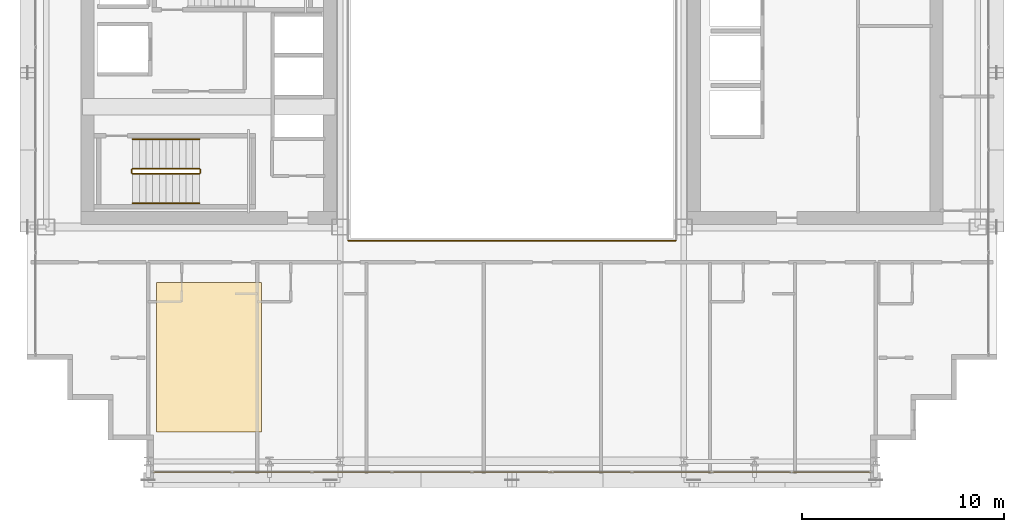
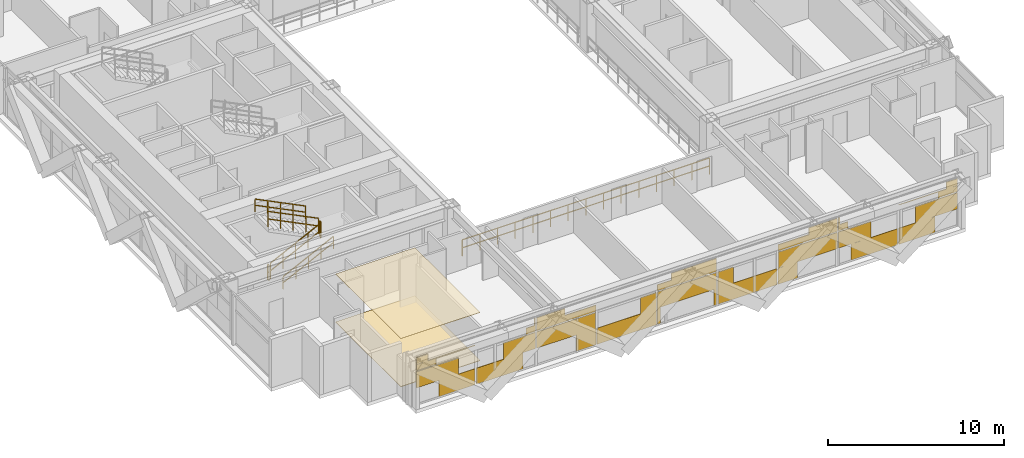
# One storey, part 32 of 35: 7 railings, 3 coverings.
"""IFC4 building model written with IfcOpenShell, lengths in metres."""

from ifc_helpers import new_model, si_unit, direction, frame, origin, origin_2d, place, context, subcontext, project, spatial, polyline, rectangle, outline, extrude, material, layer, layer_set, type_object, element, save


model = new_model("IFC4")

# Units and contexts
model_context = context("Model", 3, precision=1e-05, world=origin(), true_north=direction((0.0, 1.0)))
body_context = subcontext(model_context, "Body", "Model", "MODEL_VIEW")
ifc_project = project(units=[si_unit("LENGTHUNIT", "METRE"), si_unit("AREAUNIT", "SQUARE_METRE"), si_unit("VOLUMEUNIT", "CUBIC_METRE"), si_unit("PLANEANGLEUNIT", "RADIAN"), si_unit("MASSUNIT", "GRAM", prefix="KILO")], contexts=[model_context])

# Site, building, storey
site_placement = place(None, origin())
site = spatial("IfcSite", under=ifc_project, at=site_placement, CompositionType="ELEMENT")
building_placement = place(site_placement, origin())
building = spatial("IfcBuilding", under=site, at=building_placement, Name="Ocotamira Hotel", CompositionType="ELEMENT")
storey_placement = place(building_placement, frame((0.0, 0.0, 122.39990234375)))
storey = spatial("IfcBuildingStorey", under=building, at=storey_placement, Name="L30", CompositionType="ELEMENT", Elevation=122.39990234375)

# Coverings
ifc_material_1 = material(Name="Perforated acoustic gypsum ceiling board", Category="gypsum")
ifc_layer_1 = layer(ifc_material_1, 0.02490234375)
ifc_layer_set_1 = layer_set([ifc_layer_1], Name="Perforated acoustic gypsum ceiling board")
covering_type_1 = type_object("IfcCoveringType", Name="COV-CEIL-25", PredefinedType="CEILING", material=ifc_layer_set_1)
covering_1_placement = place(storey_placement, frame((0.0, 0.0, 3.335205078125)))
element("IfcCovering", 1, at=covering_1_placement, inside=storey, type_object=covering_type_1, Name="L30 Acoustic Ceiling", PredefinedType="CEILING", context=body_context, shape_type="SweptSolid", body=[
    extrude(outline(polyline([(14.39990234375, 4.39990234375), (19.60009765625, 4.39990234375), (19.60009765625, 11.800048828125), (14.39990234375, 11.800048828125), (14.39990234375, 4.39990234375)])), origin(), (0.0, 0.0, 1.0), 0.02490234375),
])
ifc_material_2 = material(Name="Honed desert travertine stone flooring", Category="masonry")
ifc_layer_2 = layer(ifc_material_2, 0.030029296875)
ifc_layer_set_2 = layer_set([ifc_layer_2], Name="Honed desert travertine stone flooring")
covering_type_2 = type_object("IfcCoveringType", Name="COV-FLOR-30", PredefinedType="FLOORING", material=ifc_layer_set_2)
covering_2_placement = place(storey_placement, origin())
element("IfcCovering", 2, at=covering_2_placement, inside=storey, type_object=covering_type_2, Name="L30 Honed Stone Floor Finish", PredefinedType="FLOORING", context=body_context, shape_type="SweptSolid", body=[
    extrude(outline(polyline([(14.39990234375, 4.39990234375), (19.60009765625, 4.39990234375), (19.60009765625, 11.800048828125), (14.39990234375, 11.800048828125), (14.39990234375, 4.39990234375)])), origin(), (0.0, 0.0, 1.0), 0.030029296875),
])
ifc_material_3 = material(Name="Insulated pale-metal aluminium spandrel panel", Category="aluminium")
ifc_layer_3 = layer(ifc_material_3, 0.044921875)
ifc_layer_set_3 = layer_set([ifc_layer_3], Name="Insulated pale-metal aluminium spandrel panel")
covering_type_3 = type_object("IfcCoveringType", Name="COV-INFILL-45", PredefinedType="CLADDING", material=ifc_layer_set_3)
covering_3_placement = place(storey_placement, origin())
element("IfcCovering", 3, at=covering_3_placement, inside=storey, type_object=covering_type_3, Name="L30 Curtain Wall Infill CW-3 CW-L30-S1", PredefinedType="CLADDING", context=body_context, shape_type="SweptSolid", body=[
    extrude(rectangle(XDim=2.754638671875, YDim=0.044921875, at=origin_2d()), frame((15.65771484375, 2.419921875, 1.1943359375), z_axis=(0.0, 0.0, 1.0), x_axis=(1.0, 0.0, 0.0)), (0.0, 0.0, 1.0), 1.117919921875),
    extrude(rectangle(XDim=2.359619140625, YDim=0.044921875, at=origin_2d()), frame((16.935302734375, 2.419921875, 0.07568359375), z_axis=(0.0, 0.0, 1.0), x_axis=(1.0, 0.0, 0.0)), (0.0, 0.0, 1.0), 1.117919921875),
    extrude(rectangle(XDim=1.262451171875, YDim=0.044921875, at=origin_2d()), frame((14.91162109375, 2.419921875, 2.38818359375), z_axis=(0.0, 0.0, 1.0), x_axis=(1.0, 0.0, 0.0)), (0.0, 0.0, 1.0), 0.3935546875),
    extrude(rectangle(XDim=3.834716796875, YDim=0.044921875, at=origin_2d()), frame((16.19775390625, 2.419921875, 2.78271484375), z_axis=(0.0, 0.0, 1.0), x_axis=(1.0, 0.0, 0.0)), (0.0, 0.0, 1.0), 0.0302734375),
    extrude(rectangle(XDim=0.730224609375, YDim=0.044921875, at=origin_2d()), frame((14.6455078125, 2.419921875, 2.81396484375), z_axis=(0.0, 0.0, 1.0), x_axis=(1.0, 0.0, 0.0)), (0.0, 0.0, 1.0), 0.470703125),
    extrude(rectangle(XDim=3.04833984375, YDim=0.044921875, at=origin_2d()), frame((19.72021484375, 2.419921875, 0.07568359375), z_axis=(0.0, 0.0, 1.0), x_axis=(1.0, 0.0, 0.0)), (0.0, 0.0, 1.0), 1.117919921875),
    extrude(rectangle(XDim=2.105712890625, YDim=0.044921875, at=origin_2d()), frame((21.017578125, 2.419921875, 1.1943359375), z_axis=(0.0, 0.0, 1.0), x_axis=(1.0, 0.0, 0.0)), (0.0, 0.0, 1.0), 1.117919921875),
    extrude(rectangle(XDim=0.613525390625, YDim=0.044921875, at=origin_2d()), frame((21.763916015625, 2.419921875, 2.38818359375), z_axis=(0.0, 0.0, 1.0), x_axis=(1.0, 0.0, 0.0)), (0.0, 0.0, 1.0), 0.4248046875),
    extrude(rectangle(XDim=0.081298828125, YDim=0.044921875, at=origin_2d()), frame((22.02978515625, 2.419921875, 2.81396484375), z_axis=(0.0, 0.0, 1.0), x_axis=(1.0, 0.0, 0.0)), (0.0, 0.0, 1.0), 0.470703125),
    extrude(rectangle(XDim=3.87451171875, YDim=0.044921875, at=origin_2d()), frame((24.0888671875, 2.419921875, 1.1943359375), z_axis=(0.0, 0.0, 1.0), x_axis=(1.0, 0.0, 0.0)), (0.0, 0.0, 1.0), 1.117919921875),
    extrude(rectangle(XDim=1.270751953125, YDim=0.044921875, at=origin_2d()), frame((25.390869140625, 2.419921875, 0.07568359375), z_axis=(0.0, 0.0, 1.0), x_axis=(1.0, 0.0, 0.0)), (0.0, 0.0, 1.0), 1.117919921875),
    extrude(rectangle(XDim=3.87451171875, YDim=0.044921875, at=origin_2d()), frame((24.0888671875, 2.419921875, 2.38818359375), z_axis=(0.0, 0.0, 1.0), x_axis=(1.0, 0.0, 0.0)), (0.0, 0.0, 1.0), 0.4248046875),
    extrude(rectangle(XDim=1.859130859375, YDim=0.044921875, at=origin_2d()), frame((23.081298828125, 2.419921875, 2.81396484375), z_axis=(0.0, 0.0, 1.0), x_axis=(1.0, 0.0, 0.0)), (0.0, 0.0, 1.0), 0.470703125),
    extrude(rectangle(XDim=3.87451171875, YDim=0.044921875, at=origin_2d()), frame((28.04443359375, 2.419921875, 0.07568359375), z_axis=(0.0, 0.0, 1.0), x_axis=(1.0, 0.0, 0.0)), (0.0, 0.0, 1.0), 1.117919921875),
    extrude(rectangle(XDim=1.016845703125, YDim=0.044921875, at=origin_2d()), frame((29.473388671875, 2.419921875, 1.1943359375), z_axis=(0.0, 0.0, 1.0), x_axis=(1.0, 0.0, 0.0)), (0.0, 0.0, 1.0), 1.117919921875),
    extrude(rectangle(XDim=0.181884765625, YDim=0.044921875, at=origin_2d()), frame((30.153564453125, 2.419921875, 0.07568359375), z_axis=(0.0, 0.0, 1.0), x_axis=(1.0, 0.0, 0.0)), (0.0, 0.0, 1.0), 1.117919921875),
    extrude(rectangle(XDim=3.87451171875, YDim=0.044921875, at=origin_2d()), frame((32.0, 2.419921875, 1.1943359375), z_axis=(0.0, 0.0, 1.0), x_axis=(1.0, 0.0, 0.0)), (0.0, 0.0, 1.0), 1.117919921875),
    extrude(rectangle(XDim=0.181884765625, YDim=0.044921875, at=origin_2d()), frame((33.846435546875, 2.419921875, 0.07568359375), z_axis=(0.0, 0.0, 1.0), x_axis=(1.0, 0.0, 0.0)), (0.0, 0.0, 1.0), 1.117919921875),
    extrude(rectangle(XDim=3.87451171875, YDim=0.044921875, at=origin_2d()), frame((32.0, 2.419921875, 2.38818359375), z_axis=(0.0, 0.0, 1.0), x_axis=(1.0, 0.0, 0.0)), (0.0, 0.0, 1.0), 0.4248046875),
    extrude(rectangle(XDim=2.947998046875, YDim=0.044921875, at=origin_2d()), frame((32.46337890625, 2.419921875, 2.81396484375), z_axis=(0.0, 0.0, 1.0), x_axis=(1.0, 0.0, 0.0)), (0.0, 0.0, 1.0), 0.470703125),
    extrude(rectangle(XDim=3.87451171875, YDim=0.044921875, at=origin_2d()), frame((35.95556640625, 2.419921875, 0.07568359375), z_axis=(0.0, 0.0, 1.0), x_axis=(1.0, 0.0, 0.0)), (0.0, 0.0, 1.0), 1.117919921875),
    extrude(rectangle(XDim=1.016845703125, YDim=0.044921875, at=origin_2d()), frame((34.526611328125, 2.419921875, 1.1943359375), z_axis=(0.0, 0.0, 1.0), x_axis=(1.0, 0.0, 0.0)), (0.0, 0.0, 1.0), 1.117919921875),
    extrude(rectangle(XDim=1.270751953125, YDim=0.044921875, at=origin_2d()), frame((38.609130859375, 2.419921875, 0.07568359375), z_axis=(0.0, 0.0, 1.0), x_axis=(1.0, 0.0, 0.0)), (0.0, 0.0, 1.0), 1.117919921875),
    extrude(rectangle(XDim=3.87451171875, YDim=0.044921875, at=origin_2d()), frame((39.9111328125, 2.419921875, 1.1943359375), z_axis=(0.0, 0.0, 1.0), x_axis=(1.0, 0.0, 0.0)), (0.0, 0.0, 1.0), 1.117919921875),
    extrude(rectangle(XDim=3.87451171875, YDim=0.044921875, at=origin_2d()), frame((39.9111328125, 2.419921875, 2.38818359375), z_axis=(0.0, 0.0, 1.0), x_axis=(1.0, 0.0, 0.0)), (0.0, 0.0, 1.0), 0.4248046875),
    extrude(rectangle(XDim=1.859130859375, YDim=0.044921875, at=origin_2d()), frame((40.918701171875, 2.419921875, 2.81396484375), z_axis=(0.0, 0.0, 1.0), x_axis=(1.0, 0.0, 0.0)), (0.0, 0.0, 1.0), 0.470703125),
    extrude(rectangle(XDim=2.105712890625, YDim=0.044921875, at=origin_2d()), frame((42.982421875, 2.419921875, 1.1943359375), z_axis=(0.0, 0.0, 1.0), x_axis=(1.0, 0.0, 0.0)), (0.0, 0.0, 1.0), 1.117919921875),
    extrude(rectangle(XDim=3.04833984375, YDim=0.044921875, at=origin_2d()), frame((44.27978515625, 2.419921875, 0.07568359375), z_axis=(0.0, 0.0, 1.0), x_axis=(1.0, 0.0, 0.0)), (0.0, 0.0, 1.0), 1.117919921875),
    extrude(rectangle(XDim=0.613525390625, YDim=0.044921875, at=origin_2d()), frame((42.236083984375, 2.419921875, 2.38818359375), z_axis=(0.0, 0.0, 1.0), x_axis=(1.0, 0.0, 0.0)), (0.0, 0.0, 1.0), 0.4248046875),
    extrude(rectangle(XDim=0.081298828125, YDim=0.044921875, at=origin_2d()), frame((41.97021484375, 2.419921875, 2.81396484375), z_axis=(0.0, 0.0, 1.0), x_axis=(1.0, 0.0, 0.0)), (0.0, 0.0, 1.0), 0.470703125),
    extrude(rectangle(XDim=2.359619140625, YDim=0.044921875, at=origin_2d()), frame((47.064697265625, 2.419921875, 0.07568359375), z_axis=(0.0, 0.0, 1.0), x_axis=(1.0, 0.0, 0.0)), (0.0, 0.0, 1.0), 1.117919921875),
    extrude(rectangle(XDim=2.754638671875, YDim=0.044921875, at=origin_2d()), frame((48.34228515625, 2.419921875, 1.1943359375), z_axis=(0.0, 0.0, 1.0), x_axis=(1.0, 0.0, 0.0)), (0.0, 0.0, 1.0), 1.117919921875),
    extrude(rectangle(XDim=3.834716796875, YDim=0.044921875, at=origin_2d()), frame((47.80224609375, 2.419921875, 2.78271484375), z_axis=(0.0, 0.0, 1.0), x_axis=(1.0, 0.0, 0.0)), (0.0, 0.0, 1.0), 0.0302734375),
    extrude(rectangle(XDim=1.262451171875, YDim=0.044921875, at=origin_2d()), frame((49.08837890625, 2.419921875, 2.38818359375), z_axis=(0.0, 0.0, 1.0), x_axis=(1.0, 0.0, 0.0)), (0.0, 0.0, 1.0), 0.3935546875),
    extrude(rectangle(XDim=0.730224609375, YDim=0.044921875, at=origin_2d()), frame((49.3544921875, 2.419921875, 2.81396484375), z_axis=(0.0, 0.0, 1.0), x_axis=(1.0, 0.0, 0.0)), (0.0, 0.0, 1.0), 0.470703125),
])

# Railings
ifc_material_4 = material(Name="Painted steel stair guardrail", Category="steel")
railing_type_1 = type_object("IfcRailingType", Name="RL-EDGE-1150", PredefinedType="GUARDRAIL", material=ifc_material_4)
railing_1_placement = place(storey_placement, frame((23.89990234375, 13.8798828125, 0.0)))
element("IfcRailing", 4, at=railing_1_placement, inside=storey, type_object=railing_type_1, Name="L30 Central Atrium Edge Guardrail S", PredefinedType="GUARDRAIL", context=body_context, shape_type="SweptSolid", body=[
    extrude(rectangle(XDim=0.048095703125, YDim=0.048095703125, at=origin_2d()), frame((0.0, 0.0, 1.1259765625), z_axis=(1.0, 0.0, 0.0), x_axis=(0.0, 1.0, 0.0)), (0.0, 0.0, 1.0), 16.2001953125),
    extrude(rectangle(XDim=0.048095703125, YDim=0.048095703125, at=origin_2d()), frame((0.0, 0.0, 0.574951171875), z_axis=(1.0, 0.0, 0.0), x_axis=(0.0, 1.0, 0.0)), (0.0, 0.0, 1.0), 16.2001953125),
    extrude(rectangle(XDim=0.0419921875, YDim=0.0419921875, at=origin_2d()), origin(), (0.0, 0.0, 1.0), 1.101806640625),
    extrude(rectangle(XDim=0.0419921875, YDim=0.0419921875, at=origin_2d()), frame((1.1572265625, 0.0, 0.0)), (0.0, 0.0, 1.0), 1.101806640625),
    extrude(rectangle(XDim=0.0419921875, YDim=0.0419921875, at=origin_2d()), frame((2.314208984375, 0.0, 0.0)), (0.0, 0.0, 1.0), 1.101806640625),
    extrude(rectangle(XDim=0.0419921875, YDim=0.0419921875, at=origin_2d()), frame((3.471435546875, 0.0, 0.0)), (0.0, 0.0, 1.0), 1.101806640625),
    extrude(rectangle(XDim=0.0419921875, YDim=0.0419921875, at=origin_2d()), frame((4.628662109375, 0.0, 0.0)), (0.0, 0.0, 1.0), 1.101806640625),
    extrude(rectangle(XDim=0.0419921875, YDim=0.0419921875, at=origin_2d()), frame((5.785888671875, 0.0, 0.0)), (0.0, 0.0, 1.0), 1.101806640625),
    extrude(rectangle(XDim=0.0419921875, YDim=0.0419921875, at=origin_2d()), frame((6.94287109375, 0.0, 0.0)), (0.0, 0.0, 1.0), 1.101806640625),
    extrude(rectangle(XDim=0.0419921875, YDim=0.0419921875, at=origin_2d()), frame((8.10009765625, 0.0, 0.0)), (0.0, 0.0, 1.0), 1.101806640625),
    extrude(rectangle(XDim=0.0419921875, YDim=0.0419921875, at=origin_2d()), frame((9.25732421875, 0.0, 0.0)), (0.0, 0.0, 1.0), 1.101806640625),
    extrude(rectangle(XDim=0.0419921875, YDim=0.0419921875, at=origin_2d()), frame((10.414306640625, 0.0, 0.0)), (0.0, 0.0, 1.0), 1.101806640625),
    extrude(rectangle(XDim=0.0419921875, YDim=0.0419921875, at=origin_2d()), frame((11.571533203125, 0.0, 0.0)), (0.0, 0.0, 1.0), 1.101806640625),
    extrude(rectangle(XDim=0.0419921875, YDim=0.0419921875, at=origin_2d()), frame((12.728759765625, 0.0, 0.0)), (0.0, 0.0, 1.0), 1.101806640625),
    extrude(rectangle(XDim=0.0419921875, YDim=0.0419921875, at=origin_2d()), frame((13.885986328125, 0.0, 0.0)), (0.0, 0.0, 1.0), 1.101806640625),
    extrude(rectangle(XDim=0.0419921875, YDim=0.0419921875, at=origin_2d()), frame((15.04296875, 0.0, 0.0)), (0.0, 0.0, 1.0), 1.101806640625),
    extrude(rectangle(XDim=0.0419921875, YDim=0.0419921875, at=origin_2d()), frame((16.2001953125, 0.0, 0.0)), (0.0, 0.0, 1.0), 1.101806640625),
])
ifc_material_5 = material(Name="Brushed stainless steel handrail", Category="steel")
railing_type_2 = type_object("IfcRailingType", Name="RL-HAND-900", PredefinedType="HANDRAIL", material=ifc_material_5)
railing_2_placement = place(storey_placement, frame((13.22998046875, 15.719970703125, 0.327392578125)))
element("IfcRailing", 5, at=railing_2_placement, inside=storey, type_object=railing_type_2, Name="L30 ST-1 stair handrail 1", PredefinedType="HANDRAIL", context=body_context, shape_type="SweptSolid", body=[
    extrude(rectangle(XDim=0.048095703125, YDim=0.048095703125, at=origin_2d()), frame((0.0, 0.0, 0.8759765625), z_axis=(0.895920123917, 0.0, 0.444215186098), x_axis=(0.0, 1.0, 0.0)), (0.0, 0.0, 1.0), 3.683349609375),
    extrude(rectangle(XDim=0.048095703125, YDim=0.048095703125, at=origin_2d()), frame((0.0, 0.0, 0.449951171875), z_axis=(0.895920123917, 0.0, 0.444215186098), x_axis=(0.0, 1.0, 0.0)), (0.0, 0.0, 1.0), 3.683349609375),
    extrude(rectangle(XDim=0.0419921875, YDim=0.0419921875, at=origin_2d()), origin(), (0.0, 0.0, 1.0), 0.851806640625),
    extrude(rectangle(XDim=0.0419921875, YDim=0.0419921875, at=origin_2d()), frame((0.824951171875, 0.0, 0.4091796875)), (0.0, 0.0, 1.0), 0.851806640625),
    extrude(rectangle(XDim=0.0419921875, YDim=0.0419921875, at=origin_2d()), frame((1.64990234375, 0.0, 0.818115234375)), (0.0, 0.0, 1.0), 0.851806640625),
    extrude(rectangle(XDim=0.0419921875, YDim=0.0419921875, at=origin_2d()), frame((2.47509765625, 0.0, 1.22705078125)), (0.0, 0.0, 1.0), 0.851806640625),
    extrude(rectangle(XDim=0.0419921875, YDim=0.0419921875, at=origin_2d()), frame((3.300048828125, 0.0, 1.63623046875)), (0.0, 0.0, 1.0), 0.851806640625),
])
railing_3_placement = place(storey_placement, frame((16.530029296875, 18.89990234375, 2.12744140625)))
element("IfcRailing", 6, at=railing_3_placement, inside=storey, type_object=railing_type_2, Name="L30 ST-1 stair handrail 2", PredefinedType="HANDRAIL", context=body_context, shape_type="SweptSolid", body=[
    extrude(rectangle(XDim=0.048095703125, YDim=0.048095703125, at=origin_2d()), frame((0.0, 0.0, 0.8759765625), z_axis=(-0.895920123917, 0.0, 0.444215186098), x_axis=(0.0, -1.0, 0.0)), (0.0, 0.0, 1.0), 3.683349609375),
    extrude(rectangle(XDim=0.048095703125, YDim=0.048095703125, at=origin_2d()), frame((0.0, 0.0, 0.449951171875), z_axis=(-0.895920123917, 0.0, 0.444215186098), x_axis=(0.0, -1.0, 0.0)), (0.0, 0.0, 1.0), 3.683349609375),
    extrude(rectangle(XDim=0.0419921875, YDim=0.0419921875, at=origin_2d()), origin(), (0.0, 0.0, 1.0), 0.851806640625),
    extrude(rectangle(XDim=0.0419921875, YDim=0.0419921875, at=origin_2d()), frame((-0.824951171875, 0.0, 0.4091796875)), (0.0, 0.0, 1.0), 0.851806640625),
    extrude(rectangle(XDim=0.0419921875, YDim=0.0419921875, at=origin_2d()), frame((-1.64990234375, 0.0, 0.818115234375)), (0.0, 0.0, 1.0), 0.851806640625),
    extrude(rectangle(XDim=0.0419921875, YDim=0.0419921875, at=origin_2d()), frame((-2.47509765625, 0.0, 1.22705078125)), (0.0, 0.0, 1.0), 0.851806640625),
    extrude(rectangle(XDim=0.0419921875, YDim=0.0419921875, at=origin_2d()), frame((-3.300048828125, 0.0, 1.63623046875)), (0.0, 0.0, 1.0), 0.851806640625),
])
railing_type_3 = type_object("IfcRailingType", Name="RL-STAIR-1100", PredefinedType="GUARDRAIL", material=ifc_material_4)
railing_4_placement = place(storey_placement, frame((13.22998046875, 17.179931640625, 0.163818359375)))
element("IfcRailing", 7, at=railing_4_placement, inside=storey, type_object=railing_type_3, Name="L30 ST-1 stair guard 1", PredefinedType="GUARDRAIL", context=body_context, shape_type="SweptSolid", body=[
    extrude(rectangle(XDim=0.048095703125, YDim=0.048095703125, at=origin_2d()), frame((0.0, 0.0, 1.076171875), z_axis=(0.895920123917, 0.0, 0.444215186098), x_axis=(0.0, 1.0, 0.0)), (0.0, 0.0, 1.0), 3.683349609375),
    extrude(rectangle(XDim=0.048095703125, YDim=0.048095703125, at=origin_2d()), frame((0.0, 0.0, 0.550048828125), z_axis=(0.895920123917, 0.0, 0.444215186098), x_axis=(0.0, 1.0, 0.0)), (0.0, 0.0, 1.0), 3.683349609375),
    extrude(rectangle(XDim=0.0419921875, YDim=0.0419921875, at=origin_2d()), origin(), (0.0, 0.0, 1.0), 1.052001953125),
    extrude(rectangle(XDim=0.0419921875, YDim=0.0419921875, at=origin_2d()), frame((0.824951171875, 0.0, 0.4091796875)), (0.0, 0.0, 1.0), 1.052001953125),
    extrude(rectangle(XDim=0.0419921875, YDim=0.0419921875, at=origin_2d()), frame((1.64990234375, 0.0, 0.818115234375)), (0.0, 0.0, 1.0), 1.052001953125),
    extrude(rectangle(XDim=0.0419921875, YDim=0.0419921875, at=origin_2d()), frame((2.47509765625, 0.0, 1.22705078125)), (0.0, 0.0, 1.0), 1.052001953125),
    extrude(rectangle(XDim=0.0419921875, YDim=0.0419921875, at=origin_2d()), frame((3.300048828125, 0.0, 1.63623046875)), (0.0, 0.0, 1.0), 1.052001953125),
])
railing_5_placement = place(storey_placement, frame((16.580078125, 17.22998046875, 1.800048828125)))
element("IfcRailing", 8, at=railing_5_placement, inside=storey, type_object=railing_type_3, Name="L30 ST-1 stair guard 2", PredefinedType="GUARDRAIL", context=body_context, shape_type="SweptSolid", body=[
    extrude(rectangle(XDim=0.048095703125, YDim=0.048095703125, at=origin_2d()), frame((0.0, 0.0, 1.076171875), z_axis=(0.0, 1.0, 0.0), x_axis=(-1.0, 0.0, 0.0)), (0.0, 0.0, 1.0), 0.159912109375),
    extrude(rectangle(XDim=0.048095703125, YDim=0.048095703125, at=origin_2d()), frame((0.0, 0.0, 0.550048828125), z_axis=(0.0, 1.0, 0.0), x_axis=(-1.0, 0.0, 0.0)), (0.0, 0.0, 1.0), 0.159912109375),
    extrude(rectangle(XDim=0.0419921875, YDim=0.0419921875, at=origin_2d()), origin(), (0.0, 0.0, 1.0), 1.052001953125),
    extrude(rectangle(XDim=0.0419921875, YDim=0.0419921875, at=origin_2d()), frame((0.0, 0.159912109375, 0.0)), (0.0, 0.0, 1.0), 1.052001953125),
])
railing_6_placement = place(storey_placement, frame((16.530029296875, 17.43994140625, 1.963623046875)))
element("IfcRailing", 9, at=railing_6_placement, inside=storey, type_object=railing_type_3, Name="L30 ST-1 stair guard 3", PredefinedType="GUARDRAIL", context=body_context, shape_type="SweptSolid", body=[
    extrude(rectangle(XDim=0.048095703125, YDim=0.048095703125, at=origin_2d()), frame((0.0, 0.0, 1.076171875), z_axis=(-0.895893744519, 0.0, 0.4442683857), x_axis=(0.0, -1.0, 0.0)), (0.0, 0.0, 1.0), 3.68359375),
    extrude(rectangle(XDim=0.048095703125, YDim=0.048095703125, at=origin_2d()), frame((0.0, 0.0, 0.550048828125), z_axis=(-0.895893744519, 0.0, 0.4442683857), x_axis=(0.0, -1.0, 0.0)), (0.0, 0.0, 1.0), 3.68359375),
    extrude(rectangle(XDim=0.0419921875, YDim=0.0419921875, at=origin_2d()), origin(), (0.0, 0.0, 1.0), 1.052001953125),
    extrude(rectangle(XDim=0.0419921875, YDim=0.0419921875, at=origin_2d()), frame((-0.824951171875, 0.0, 0.4091796875)), (0.0, 0.0, 1.0), 1.052001953125),
    extrude(rectangle(XDim=0.0419921875, YDim=0.0419921875, at=origin_2d()), frame((-1.64990234375, 0.0, 0.818359375)), (0.0, 0.0, 1.0), 1.052001953125),
    extrude(rectangle(XDim=0.0419921875, YDim=0.0419921875, at=origin_2d()), frame((-2.47509765625, 0.0, 1.227294921875)), (0.0, 0.0, 1.0), 1.052001953125),
    extrude(rectangle(XDim=0.0419921875, YDim=0.0419921875, at=origin_2d()), frame((-3.300048828125, 0.0, 1.636474609375)), (0.0, 0.0, 1.0), 1.052001953125),
])
railing_7_placement = place(storey_placement, frame((13.179931640625, 17.22998046875, 0.0)))
element("IfcRailing", 10, at=railing_7_placement, inside=storey, type_object=railing_type_3, Name="L30 ST-1 stair guard 4", PredefinedType="GUARDRAIL", context=body_context, shape_type="SweptSolid", body=[
    extrude(rectangle(XDim=0.048095703125, YDim=0.048095703125, at=origin_2d()), frame((0.0, 0.0, 1.076171875), z_axis=(0.0, 1.0, 0.0), x_axis=(-1.0, 0.0, 0.0)), (0.0, 0.0, 1.0), 0.159912109375),
    extrude(rectangle(XDim=0.048095703125, YDim=0.048095703125, at=origin_2d()), frame((0.0, 0.0, 0.550048828125), z_axis=(0.0, 1.0, 0.0), x_axis=(-1.0, 0.0, 0.0)), (0.0, 0.0, 1.0), 0.159912109375),
    extrude(rectangle(XDim=0.0419921875, YDim=0.0419921875, at=origin_2d()), origin(), (0.0, 0.0, 1.0), 1.052001953125),
    extrude(rectangle(XDim=0.0419921875, YDim=0.0419921875, at=origin_2d()), frame((0.0, 0.159912109375, 0.0)), (0.0, 0.0, 1.0), 1.052001953125),
])

save(model, "model.ifc")
